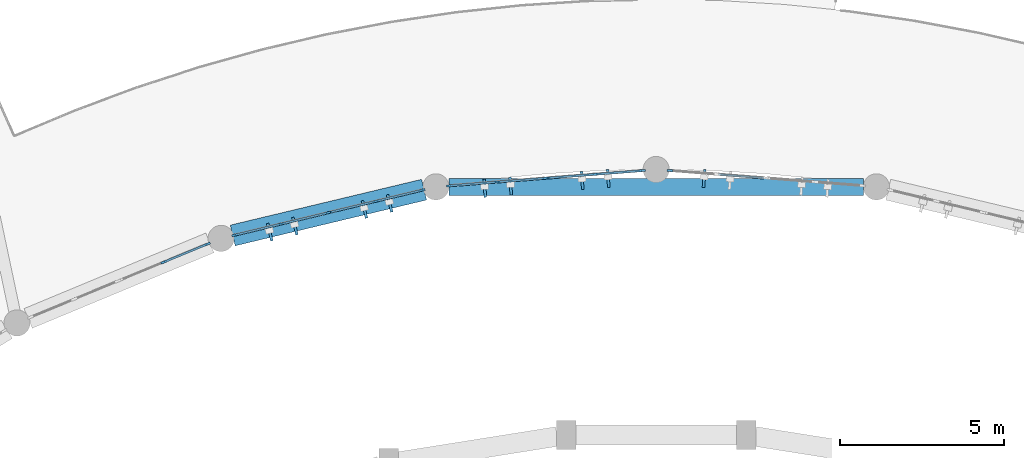
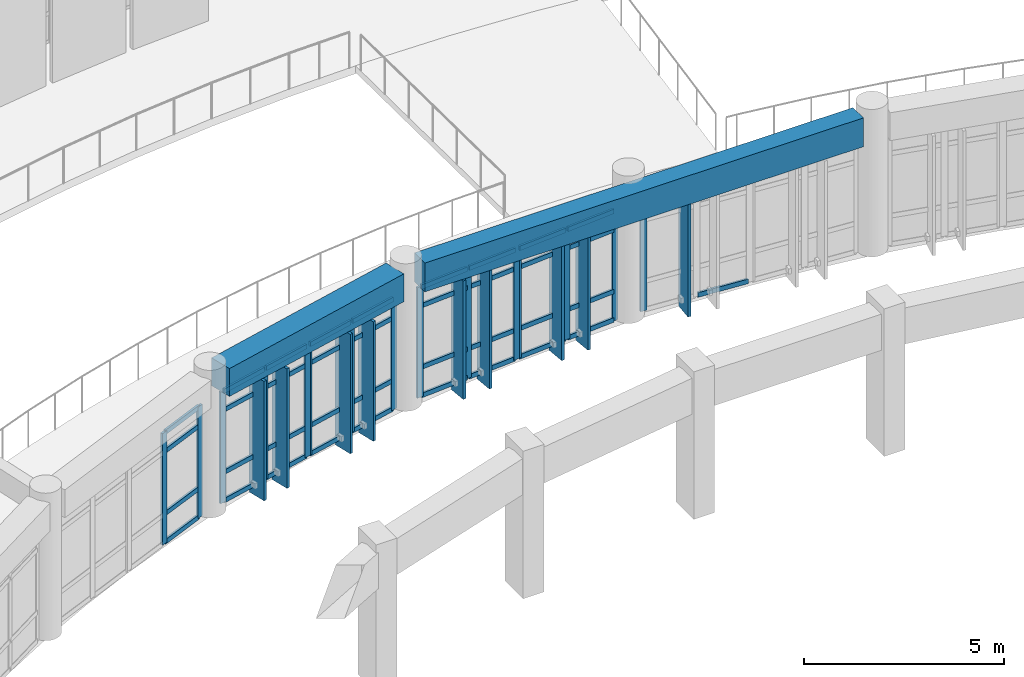
# One storey, part 14 of 57: 61 members, 2 beams, 6 elements without a shape of their own.
"""IFC4 building model written with IfcOpenShell, lengths in metres."""

from ifc_helpers import new_model, si_unit, direction, frame, origin, origin_2d, place, context, subcontext, project, spatial, rectangle, extrude, material, layer, layer_set, material_profile, profile_set, type_object, element, aggregate, save


model = new_model("IFC4")

# Units and contexts
model_context = context("Model", 3, precision=1e-05, world=origin(), true_north=direction((0.0, 1.0)))
body_context = subcontext(model_context, "Body", "Model", "MODEL_VIEW")
ifc_project = project(units=[si_unit("LENGTHUNIT", "METRE"), si_unit("AREAUNIT", "SQUARE_METRE"), si_unit("VOLUMEUNIT", "CUBIC_METRE"), si_unit("PLANEANGLEUNIT", "RADIAN"), si_unit("MASSUNIT", "GRAM", prefix="KILO")], contexts=[model_context])

# Site, building, storey
site_placement = place(None, origin())
site = spatial("IfcSite", under=ifc_project, at=site_placement, CompositionType="ELEMENT")
building_placement = place(site_placement, origin())
building = spatial("IfcBuilding", under=site, at=building_placement, Name="Miralva Faculty of Natural Sciences", CompositionType="ELEMENT")
storey_placement = place(building_placement, frame((0.0, 0.0, 15.0)))
storey = spatial("IfcBuildingStorey", under=building, at=storey_placement, Name="L03", CompositionType="ELEMENT", Elevation=15.0)

# Beams
ifc_material_1 = material(Name="Concrete C40/50", Category="concrete")
ifc_material_profile_1 = material_profile(ifc_material_1, rectangle(XDim=0.52001953125, YDim=0.8798828125, at=origin_2d()), Name="RC 520x880")
ifc_profile_set_1 = profile_set([ifc_material_profile_1], Name="Concrete C40/50")
beam_type_1 = type_object("IfcBeamType", Name="BM-BG19", PredefinedType="BEAM", material=ifc_profile_set_1)
beam_1_placement = place(storey_placement, frame((83.669921875, 21.469970703125, 3.820068359375), z_axis=(1.0, 0.0, 0.0), x_axis=(0.0, 1.0, 0.0)))
element("IfcBeam", 1, at=beam_1_placement, inside=storey, type_object=beam_type_1, Name="Girder EW L03-15", PredefinedType="BEAM", context=body_context, shape_type="SweptSolid", body=[
    extrude(rectangle(XDim=0.52001953125, YDim=0.8798828125, at=origin_2d()), origin(), (0.0, 0.0, 1.0), 12.66015625),
])
ifc_material_profile_2 = material_profile(ifc_material_1, rectangle(XDim=0.64990234375, YDim=0.85009765625, at=origin_2d()), Name="RC 650x850")
ifc_profile_set_2 = profile_set([ifc_material_profile_2], Name="Concrete C40/50")
beam_type_2 = type_object("IfcBeamType", Name="BM-SP03", PredefinedType="SPANDREL", material=ifc_profile_set_2)
beam_2_placement = place(storey_placement, frame((82.912109375, 21.38427734375, 3.8349609375), z_axis=(-0.97253572319, -0.232753661883, 0.0), x_axis=(0.232753661883, -0.97253572319, 0.0)))
element("IfcBeam", 2, at=beam_2_placement, inside=storey, type_object=beam_type_2, Name="Curved chord girder ARCIN L03-6", PredefinedType="SPANDREL", context=body_context, shape_type="SweptSolid", body=[
    extrude(rectangle(XDim=0.64990234375, YDim=0.85009765625, at=origin_2d()), origin(), (0.0, 0.0, 1.0), 6.00927734375),
])

# Curtain wall, members
ifc_material_2 = material(Name="Laminated solar-control glass", Category="glass")
ifc_layer = layer(ifc_material_2, 0.179931640625, Name="CW-ARC-L03")
ifc_layer_set = layer_set([ifc_layer], Name="Laminated solar-control glass")
curtain_wall_type = type_object("IfcCurtainWallType", Name="CW-ARC-L03", PredefinedType="USERDEFINED", material=ifc_layer_set)
curtain_wall_1_placement = place(storey_placement, origin())
curtain_wall_1 = element("IfcCurtainWall", 3, at=curtain_wall_1_placement, inside=storey, type_object=curtain_wall_type, Name="Curtain wall CW-03 L03-112", ObjectType="UNITISED CURTAIN WALL", PredefinedType="USERDEFINED")
ifc_material_3 = material(Name="Anodised aluminium", Category="aluminium")
ifc_material_profile_3 = material_profile(ifc_material_3, rectangle(XDim=0.06494140625, YDim=0.179931640625, at=origin_2d()), Name="MULLION 65x180")
ifc_profile_set_3 = profile_set([ifc_material_profile_3], Name="Anodised aluminium")
member_type_1 = type_object("IfcMemberType", Name="CW-M01", PredefinedType="MULLION", material=ifc_profile_set_3)
member_1_placement = place(storey_placement, frame((74.959716796875, 19.16943359375, 0.0), z_axis=(0.0, 0.0, 1.0), x_axis=(-0.382654754557, 0.923891410727, 0.0)))
member_1 = element("IfcMember", 4, at=member_1_placement, type_object=member_type_1, Name="CW-03 mullion 2", PredefinedType="MULLION", context=body_context, shape_type="SweptSolid", body=[
    extrude(rectangle(XDim=0.06494140625, YDim=0.179931640625, at=origin_2d()), origin(), (0.0, 0.0, 1.0), 3.405029296875),
])
member_2_placement = place(storey_placement, frame((76.298828125, 19.72412109375, 0.0), z_axis=(0.0, 0.0, 1.0), x_axis=(-0.382654754557, 0.923891410727, 0.0)))
member_2 = element("IfcMember", 5, at=member_2_placement, type_object=member_type_1, Name="CW-03 mullion 3", PredefinedType="MULLION", context=body_context, shape_type="SweptSolid", body=[
    extrude(rectangle(XDim=0.06494140625, YDim=0.179931640625, at=origin_2d()), origin(), (0.0, 0.0, 1.0), 3.405029296875),
])

curtain_wall_2_placement = place(storey_placement, origin())
curtain_wall_2 = element("IfcCurtainWall", 6, at=curtain_wall_2_placement, inside=storey, type_object=curtain_wall_type, Name="Curtain wall CW-03 L03-113", ObjectType="UNITISED CURTAIN WALL", PredefinedType="USERDEFINED")
member_3_placement = place(storey_placement, frame((77.1279296875, 19.9951171875, 0.0), z_axis=(0.0, 0.0, 1.0), x_axis=(-0.233456753574, 0.972367185898, 0.0)))
member_3 = element("IfcMember", 7, at=member_3_placement, type_object=member_type_1, Name="CW-03 mullion 1", PredefinedType="MULLION", context=body_context, shape_type="SweptSolid", body=[
    extrude(rectangle(XDim=0.06494140625, YDim=0.179931640625, at=origin_2d()), origin(), (0.0, 0.0, 1.0), 3.405029296875),
])
member_4_placement = place(storey_placement, frame((78.544677734375, 20.335205078125, 0.0), z_axis=(0.0, 0.0, 1.0), x_axis=(-0.233456753574, 0.972367185898, 0.0)))
member_4 = element("IfcMember", 8, at=member_4_placement, type_object=member_type_1, Name="CW-03 mullion 2", PredefinedType="MULLION", context=body_context, shape_type="SweptSolid", body=[
    extrude(rectangle(XDim=0.06494140625, YDim=0.179931640625, at=origin_2d()), origin(), (0.0, 0.0, 1.0), 3.405029296875),
])
member_5_placement = place(storey_placement, frame((79.961181640625, 20.67529296875, 0.0), z_axis=(0.0, 0.0, 1.0), x_axis=(-0.233456753574, 0.972367185898, 0.0)))
member_5 = element("IfcMember", 9, at=member_5_placement, type_object=member_type_1, Name="CW-03 mullion 3", PredefinedType="MULLION", context=body_context, shape_type="SweptSolid", body=[
    extrude(rectangle(XDim=0.06494140625, YDim=0.179931640625, at=origin_2d()), origin(), (0.0, 0.0, 1.0), 3.405029296875),
])

curtain_wall_3_placement = place(storey_placement, origin())
curtain_wall_3 = element("IfcCurtainWall", 10, at=curtain_wall_3_placement, inside=storey, type_object=curtain_wall_type, Name="Curtain wall CW-03 L03-114", ObjectType="UNITISED CURTAIN WALL", PredefinedType="USERDEFINED")
member_6_placement = place(storey_placement, frame((80.01953125, 20.689453125, 0.0), z_axis=(0.0, 0.0, 1.0), x_axis=(-0.233464217213, 0.972365393914, 0.0)))
member_6 = element("IfcMember", 11, at=member_6_placement, type_object=member_type_1, Name="CW-03 mullion 1", PredefinedType="MULLION", context=body_context, shape_type="SweptSolid", body=[
    extrude(rectangle(XDim=0.06494140625, YDim=0.179931640625, at=origin_2d()), origin(), (0.0, 0.0, 1.0), 3.405029296875),
])
member_7_placement = place(storey_placement, frame((81.4384765625, 21.030029296875, 0.0), z_axis=(0.0, 0.0, 1.0), x_axis=(-0.233464217213, 0.972365393914, 0.0)))
member_7 = element("IfcMember", 12, at=member_7_placement, type_object=member_type_1, Name="CW-03 mullion 2", PredefinedType="MULLION", context=body_context, shape_type="SweptSolid", body=[
    extrude(rectangle(XDim=0.06494140625, YDim=0.179931640625, at=origin_2d()), origin(), (0.0, 0.0, 1.0), 3.405029296875),
])
member_8_placement = place(storey_placement, frame((82.857666015625, 21.370849609375, 0.0), z_axis=(0.0, 0.0, 1.0), x_axis=(-0.233464217213, 0.972365393914, 0.0)))
member_8 = element("IfcMember", 13, at=member_8_placement, type_object=member_type_1, Name="CW-03 mullion 3", PredefinedType="MULLION", context=body_context, shape_type="SweptSolid", body=[
    extrude(rectangle(XDim=0.06494140625, YDim=0.179931640625, at=origin_2d()), origin(), (0.0, 0.0, 1.0), 3.405029296875),
])

curtain_wall_4_placement = place(storey_placement, origin())
curtain_wall_4 = element("IfcCurtainWall", 14, at=curtain_wall_4_placement, inside=storey, type_object=curtain_wall_type, Name="Curtain wall CW-03 L03-115", ObjectType="UNITISED CURTAIN WALL", PredefinedType="USERDEFINED")
member_9_placement = place(storey_placement, frame((83.689453125, 21.50341796875, 0.0), z_axis=(0.0, 0.0, 1.0), x_axis=(-0.07845922685, 0.996917323414, 0.0)))
member_9 = element("IfcMember", 15, at=member_9_placement, type_object=member_type_1, Name="CW-03 mullion 1", PredefinedType="MULLION", context=body_context, shape_type="SweptSolid", body=[
    extrude(rectangle(XDim=0.06494140625, YDim=0.179931640625, at=origin_2d()), origin(), (0.0, 0.0, 1.0), 3.375),
])
member_10_placement = place(storey_placement, frame((85.14697265625, 21.6181640625, 0.0), z_axis=(0.0, 0.0, 1.0), x_axis=(-0.07845922685, 0.996917323414, 0.0)))
member_10 = element("IfcMember", 16, at=member_10_placement, type_object=member_type_1, Name="CW-03 mullion 2", PredefinedType="MULLION", context=body_context, shape_type="SweptSolid", body=[
    extrude(rectangle(XDim=0.06494140625, YDim=0.179931640625, at=origin_2d()), origin(), (0.0, 0.0, 1.0), 3.375),
])
member_11_placement = place(storey_placement, frame((86.604248046875, 21.732666015625, 0.0), z_axis=(0.0, 0.0, 1.0), x_axis=(-0.07845922685, 0.996917323414, 0.0)))
member_11 = element("IfcMember", 17, at=member_11_placement, type_object=member_type_1, Name="CW-03 mullion 3", PredefinedType="MULLION", context=body_context, shape_type="SweptSolid", body=[
    extrude(rectangle(XDim=0.06494140625, YDim=0.179931640625, at=origin_2d()), origin(), (0.0, 0.0, 1.0), 3.375),
])

curtain_wall_5_placement = place(storey_placement, origin())
curtain_wall_5 = element("IfcCurtainWall", 18, at=curtain_wall_5_placement, inside=storey, type_object=curtain_wall_type, Name="Curtain wall CW-03 L03-116", ObjectType="UNITISED CURTAIN WALL", PredefinedType="USERDEFINED")
member_12_placement = place(storey_placement, frame((86.6640625, 21.737548828125, 0.0), z_axis=(0.0, 0.0, 1.0), x_axis=(-0.078463994344, 0.996916948192, 0.0)))
member_12 = element("IfcMember", 19, at=member_12_placement, type_object=member_type_1, Name="CW-03 mullion 1", PredefinedType="MULLION", context=body_context, shape_type="SweptSolid", body=[
    extrude(rectangle(XDim=0.06494140625, YDim=0.179931640625, at=origin_2d()), origin(), (0.0, 0.0, 1.0), 3.375),
])
member_13_placement = place(storey_placement, frame((88.1240234375, 21.852294921875, 0.0), z_axis=(0.0, 0.0, 1.0), x_axis=(-0.078463994344, 0.996916948192, 0.0)))
member_13 = element("IfcMember", 20, at=member_13_placement, type_object=member_type_1, Name="CW-03 mullion 2", PredefinedType="MULLION", context=body_context, shape_type="SweptSolid", body=[
    extrude(rectangle(XDim=0.06494140625, YDim=0.179931640625, at=origin_2d()), origin(), (0.0, 0.0, 1.0), 3.375),
])
member_14_placement = place(storey_placement, frame((89.583740234375, 21.96728515625, 0.0), z_axis=(0.0, 0.0, 1.0), x_axis=(-0.078463994344, 0.996916948192, 0.0)))
member_14 = element("IfcMember", 21, at=member_14_placement, type_object=member_type_1, Name="CW-03 mullion 3", PredefinedType="MULLION", context=body_context, shape_type="SweptSolid", body=[
    extrude(rectangle(XDim=0.06494140625, YDim=0.179931640625, at=origin_2d()), origin(), (0.0, 0.0, 1.0), 3.375),
])

# Curtain wall, member
curtain_wall_6_placement = place(storey_placement, origin())
curtain_wall_6 = element("IfcCurtainWall", 22, at=curtain_wall_6_placement, inside=storey, type_object=curtain_wall_type, Name="Curtain wall CW-03 L03-117", ObjectType="UNITISED CURTAIN WALL", PredefinedType="USERDEFINED")
member_15_placement = place(storey_placement, frame((90.416259765625, 21.96728515625, 0.0), z_axis=(0.0, 0.0, 1.0), x_axis=(0.078461843942, 0.99691711744, 0.0)))
member_15 = element("IfcMember", 23, at=member_15_placement, type_object=member_type_1, Name="CW-03 mullion 1", PredefinedType="MULLION", context=body_context, shape_type="SweptSolid", body=[
    extrude(rectangle(XDim=0.06494140625, YDim=0.179931640625, at=origin_2d()), origin(), (0.0, 0.0, 1.0), 3.375),
])

# Member
ifc_material_profile_4 = material_profile(ifc_material_3, rectangle(XDim=0.06494140625, YDim=0.139892578125, at=origin_2d()), Name="TRANSOM 65x140")
ifc_profile_set_4 = profile_set([ifc_material_profile_4], Name="Anodised aluminium")
member_type_2 = type_object("IfcMemberType", Name="CW-T01", PredefinedType="USERDEFINED", material=ifc_profile_set_4)
member_16_placement = place(storey_placement, frame((74.98974609375, 19.181884765625, 0.032470703125), z_axis=(0.923883575944, 0.382673670509, 0.0), x_axis=(-0.382673670509, 0.923883575944, 0.0)))
member_16 = element("IfcMember", 24, at=member_16_placement, type_object=member_type_2, Name="CW-03 transom 2.1", ObjectType="TRANSOM", PredefinedType="USERDEFINED", context=body_context, shape_type="SweptSolid", body=[
    extrude(rectangle(XDim=0.06494140625, YDim=0.139892578125, at=origin_2d()), origin(), (0.0, 0.0, 1.0), 1.384521484375),
])

member_17_placement = place(storey_placement, frame((74.98974609375, 19.181884765625, 0.89990234375), z_axis=(0.923883575944, 0.382673670509, 0.0), x_axis=(-0.382673670509, 0.923883575944, 0.0)))
member_17 = element("IfcMember", 25, at=member_17_placement, type_object=member_type_2, Name="CW-03 transom 2.2", ObjectType="TRANSOM", PredefinedType="USERDEFINED", context=body_context, shape_type="SweptSolid", body=[
    extrude(rectangle(XDim=0.06494140625, YDim=0.139892578125, at=origin_2d()), origin(), (0.0, 0.0, 1.0), 1.384521484375),
])

member_18_placement = place(storey_placement, frame((74.98974609375, 19.181884765625, 2.804931640625), z_axis=(0.923883575944, 0.382673670509, 0.0), x_axis=(-0.382673670509, 0.923883575944, 0.0)))
member_18 = element("IfcMember", 26, at=member_18_placement, type_object=member_type_2, Name="CW-03 transom 2.3", ObjectType="TRANSOM", PredefinedType="USERDEFINED", context=body_context, shape_type="SweptSolid", body=[
    extrude(rectangle(XDim=0.06494140625, YDim=0.139892578125, at=origin_2d()), origin(), (0.0, 0.0, 1.0), 1.384521484375),
])

member_19_placement = place(storey_placement, frame((74.98974609375, 19.181884765625, 3.37255859375), z_axis=(0.923883575944, 0.382673670509, 0.0), x_axis=(-0.382673670509, 0.923883575944, 0.0)))
member_19 = element("IfcMember", 27, at=member_19_placement, type_object=member_type_2, Name="CW-03 transom 2.4", ObjectType="TRANSOM", PredefinedType="USERDEFINED", context=body_context, shape_type="SweptSolid", body=[
    extrude(rectangle(XDim=0.06494140625, YDim=0.139892578125, at=origin_2d()), origin(), (0.0, 0.0, 1.0), 1.384521484375),
])

aggregate(curtain_wall_1, [member_1, member_2, member_16, member_17, member_18, member_19])

member_20_placement = place(storey_placement, frame((77.15966796875, 20.002685546875, 0.032470703125), z_axis=(0.97236022589, 0.233485740693, 0.0), x_axis=(-0.233485740693, 0.97236022589, 0.0)))
member_20 = element("IfcMember", 28, at=member_20_placement, type_object=member_type_2, Name="CW-03 transom 1.1", ObjectType="TRANSOM", PredefinedType="USERDEFINED", context=body_context, shape_type="SweptSolid", body=[
    extrude(rectangle(XDim=0.06494140625, YDim=0.139892578125, at=origin_2d()), origin(), (0.0, 0.0, 1.0), 1.391845703125),
])

member_21_placement = place(storey_placement, frame((77.15966796875, 20.002685546875, 0.89990234375), z_axis=(0.97236022589, 0.233485740693, 0.0), x_axis=(-0.233485740693, 0.97236022589, 0.0)))
member_21 = element("IfcMember", 29, at=member_21_placement, type_object=member_type_2, Name="CW-03 transom 1.2", ObjectType="TRANSOM", PredefinedType="USERDEFINED", context=body_context, shape_type="SweptSolid", body=[
    extrude(rectangle(XDim=0.06494140625, YDim=0.139892578125, at=origin_2d()), origin(), (0.0, 0.0, 1.0), 1.391845703125),
])

member_22_placement = place(storey_placement, frame((77.15966796875, 20.002685546875, 2.804931640625), z_axis=(0.97236022589, 0.233485740693, 0.0), x_axis=(-0.233485740693, 0.97236022589, 0.0)))
member_22 = element("IfcMember", 30, at=member_22_placement, type_object=member_type_2, Name="CW-03 transom 1.3", ObjectType="TRANSOM", PredefinedType="USERDEFINED", context=body_context, shape_type="SweptSolid", body=[
    extrude(rectangle(XDim=0.06494140625, YDim=0.139892578125, at=origin_2d()), origin(), (0.0, 0.0, 1.0), 1.391845703125),
])

member_23_placement = place(storey_placement, frame((77.15966796875, 20.002685546875, 3.37255859375), z_axis=(0.97236022589, 0.233485740693, 0.0), x_axis=(-0.233485740693, 0.97236022589, 0.0)))
member_23 = element("IfcMember", 31, at=member_23_placement, type_object=member_type_2, Name="CW-03 transom 1.4", ObjectType="TRANSOM", PredefinedType="USERDEFINED", context=body_context, shape_type="SweptSolid", body=[
    extrude(rectangle(XDim=0.06494140625, YDim=0.139892578125, at=origin_2d()), origin(), (0.0, 0.0, 1.0), 1.391845703125),
])

member_24_placement = place(storey_placement, frame((78.576171875, 20.3427734375, 0.032470703125), z_axis=(0.972369786639, 0.233445920999, 0.0), x_axis=(-0.233445920999, 0.972369786639, 0.0)))
member_24 = element("IfcMember", 32, at=member_24_placement, type_object=member_type_2, Name="CW-03 transom 2.1", ObjectType="TRANSOM", PredefinedType="USERDEFINED", context=body_context, shape_type="SweptSolid", body=[
    extrude(rectangle(XDim=0.06494140625, YDim=0.139892578125, at=origin_2d()), origin(), (0.0, 0.0, 1.0), 1.39208984375),
])

member_25_placement = place(storey_placement, frame((78.576171875, 20.3427734375, 0.89990234375), z_axis=(0.972369786639, 0.233445920999, 0.0), x_axis=(-0.233445920999, 0.972369786639, 0.0)))
member_25 = element("IfcMember", 33, at=member_25_placement, type_object=member_type_2, Name="CW-03 transom 2.2", ObjectType="TRANSOM", PredefinedType="USERDEFINED", context=body_context, shape_type="SweptSolid", body=[
    extrude(rectangle(XDim=0.06494140625, YDim=0.139892578125, at=origin_2d()), origin(), (0.0, 0.0, 1.0), 1.39208984375),
])

member_26_placement = place(storey_placement, frame((78.576171875, 20.3427734375, 2.804931640625), z_axis=(0.972369786639, 0.233445920999, 0.0), x_axis=(-0.233445920999, 0.972369786639, 0.0)))
member_26 = element("IfcMember", 34, at=member_26_placement, type_object=member_type_2, Name="CW-03 transom 2.3", ObjectType="TRANSOM", PredefinedType="USERDEFINED", context=body_context, shape_type="SweptSolid", body=[
    extrude(rectangle(XDim=0.06494140625, YDim=0.139892578125, at=origin_2d()), origin(), (0.0, 0.0, 1.0), 1.39208984375),
])

member_27_placement = place(storey_placement, frame((78.576171875, 20.3427734375, 3.37255859375), z_axis=(0.972369786639, 0.233445920999, 0.0), x_axis=(-0.233445920999, 0.972369786639, 0.0)))
member_27 = element("IfcMember", 35, at=member_27_placement, type_object=member_type_2, Name="CW-03 transom 2.4", ObjectType="TRANSOM", PredefinedType="USERDEFINED", context=body_context, shape_type="SweptSolid", body=[
    extrude(rectangle(XDim=0.06494140625, YDim=0.139892578125, at=origin_2d()), origin(), (0.0, 0.0, 1.0), 1.39208984375),
])

aggregate(curtain_wall_2, [member_3, member_4, member_5, member_20, member_21, member_22, member_23, member_24, member_25, member_26, member_27])

member_28_placement = place(storey_placement, frame((80.051025390625, 20.697021484375, 0.032470703125), z_axis=(0.972385712744, 0.233379574196, 0.0), x_axis=(-0.233379574196, 0.972385712744, 0.0)))
member_28 = element("IfcMember", 36, at=member_28_placement, type_object=member_type_2, Name="CW-03 transom 1.1", ObjectType="TRANSOM", PredefinedType="USERDEFINED", context=body_context, shape_type="SweptSolid", body=[
    extrude(rectangle(XDim=0.06494140625, YDim=0.139892578125, at=origin_2d()), origin(), (0.0, 0.0, 1.0), 1.39453125),
])

member_29_placement = place(storey_placement, frame((80.051025390625, 20.697021484375, 0.89990234375), z_axis=(0.972385712744, 0.233379574196, 0.0), x_axis=(-0.233379574196, 0.972385712744, 0.0)))
member_29 = element("IfcMember", 37, at=member_29_placement, type_object=member_type_2, Name="CW-03 transom 1.2", ObjectType="TRANSOM", PredefinedType="USERDEFINED", context=body_context, shape_type="SweptSolid", body=[
    extrude(rectangle(XDim=0.06494140625, YDim=0.139892578125, at=origin_2d()), origin(), (0.0, 0.0, 1.0), 1.39453125),
])

member_30_placement = place(storey_placement, frame((80.051025390625, 20.697021484375, 2.804931640625), z_axis=(0.972385712744, 0.233379574196, 0.0), x_axis=(-0.233379574196, 0.972385712744, 0.0)))
member_30 = element("IfcMember", 38, at=member_30_placement, type_object=member_type_2, Name="CW-03 transom 1.3", ObjectType="TRANSOM", PredefinedType="USERDEFINED", context=body_context, shape_type="SweptSolid", body=[
    extrude(rectangle(XDim=0.06494140625, YDim=0.139892578125, at=origin_2d()), origin(), (0.0, 0.0, 1.0), 1.39453125),
])

member_31_placement = place(storey_placement, frame((80.051025390625, 20.697021484375, 3.37255859375), z_axis=(0.972385712744, 0.233379574196, 0.0), x_axis=(-0.233379574196, 0.972385712744, 0.0)))
member_31 = element("IfcMember", 39, at=member_31_placement, type_object=member_type_2, Name="CW-03 transom 1.4", ObjectType="TRANSOM", PredefinedType="USERDEFINED", context=body_context, shape_type="SweptSolid", body=[
    extrude(rectangle(XDim=0.06494140625, YDim=0.139892578125, at=origin_2d()), origin(), (0.0, 0.0, 1.0), 1.39453125),
])

member_32_placement = place(storey_placement, frame((81.47021484375, 21.03759765625, 0.032470703125), z_axis=(0.972336417448, 0.233584869598, 0.0), x_axis=(-0.233584869598, 0.972336417448, 0.0)))
member_32 = element("IfcMember", 40, at=member_32_placement, type_object=member_type_2, Name="CW-03 transom 2.1", ObjectType="TRANSOM", PredefinedType="USERDEFINED", context=body_context, shape_type="SweptSolid", body=[
    extrude(rectangle(XDim=0.06494140625, YDim=0.139892578125, at=origin_2d()), origin(), (0.0, 0.0, 1.0), 1.394287109375),
])

member_33_placement = place(storey_placement, frame((81.47021484375, 21.03759765625, 0.89990234375), z_axis=(0.972336417448, 0.233584869598, 0.0), x_axis=(-0.233584869598, 0.972336417448, 0.0)))
member_33 = element("IfcMember", 41, at=member_33_placement, type_object=member_type_2, Name="CW-03 transom 2.2", ObjectType="TRANSOM", PredefinedType="USERDEFINED", context=body_context, shape_type="SweptSolid", body=[
    extrude(rectangle(XDim=0.06494140625, YDim=0.139892578125, at=origin_2d()), origin(), (0.0, 0.0, 1.0), 1.394287109375),
])

member_34_placement = place(storey_placement, frame((81.47021484375, 21.03759765625, 2.804931640625), z_axis=(0.972336417448, 0.233584869598, 0.0), x_axis=(-0.233584869598, 0.972336417448, 0.0)))
member_34 = element("IfcMember", 42, at=member_34_placement, type_object=member_type_2, Name="CW-03 transom 2.3", ObjectType="TRANSOM", PredefinedType="USERDEFINED", context=body_context, shape_type="SweptSolid", body=[
    extrude(rectangle(XDim=0.06494140625, YDim=0.139892578125, at=origin_2d()), origin(), (0.0, 0.0, 1.0), 1.394287109375),
])

member_35_placement = place(storey_placement, frame((81.47021484375, 21.03759765625, 3.37255859375), z_axis=(0.972336417448, 0.233584869598, 0.0), x_axis=(-0.233584869598, 0.972336417448, 0.0)))
member_35 = element("IfcMember", 43, at=member_35_placement, type_object=member_type_2, Name="CW-03 transom 2.4", ObjectType="TRANSOM", PredefinedType="USERDEFINED", context=body_context, shape_type="SweptSolid", body=[
    extrude(rectangle(XDim=0.06494140625, YDim=0.139892578125, at=origin_2d()), origin(), (0.0, 0.0, 1.0), 1.394287109375),
])

aggregate(curtain_wall_3, [member_6, member_7, member_8, member_28, member_29, member_30, member_31, member_32, member_33, member_34, member_35])

member_36_placement = place(storey_placement, frame((83.721923828125, 21.505859375, 0.032470703125), z_axis=(0.996916165291, 0.078473940781, 0.0), x_axis=(-0.078473940781, 0.996916165291, 0.0)))
member_36 = element("IfcMember", 44, at=member_36_placement, type_object=member_type_2, Name="CW-03 transom 1.1", ObjectType="TRANSOM", PredefinedType="USERDEFINED", context=body_context, shape_type="SweptSolid", body=[
    extrude(rectangle(XDim=0.06494140625, YDim=0.139892578125, at=origin_2d()), origin(), (0.0, 0.0, 1.0), 1.39697265625),
])

member_37_placement = place(storey_placement, frame((83.721923828125, 21.505859375, 0.89990234375), z_axis=(0.996916165291, 0.078473940781, 0.0), x_axis=(-0.078473940781, 0.996916165291, 0.0)))
member_37 = element("IfcMember", 45, at=member_37_placement, type_object=member_type_2, Name="CW-03 transom 1.2", ObjectType="TRANSOM", PredefinedType="USERDEFINED", context=body_context, shape_type="SweptSolid", body=[
    extrude(rectangle(XDim=0.06494140625, YDim=0.139892578125, at=origin_2d()), origin(), (0.0, 0.0, 1.0), 1.39697265625),
])

member_38_placement = place(storey_placement, frame((83.721923828125, 21.505859375, 2.77490234375), z_axis=(0.996916165291, 0.078473940781, 0.0), x_axis=(-0.078473940781, 0.996916165291, 0.0)))
member_38 = element("IfcMember", 46, at=member_38_placement, type_object=member_type_2, Name="CW-03 transom 1.3", ObjectType="TRANSOM", PredefinedType="USERDEFINED", context=body_context, shape_type="SweptSolid", body=[
    extrude(rectangle(XDim=0.06494140625, YDim=0.139892578125, at=origin_2d()), origin(), (0.0, 0.0, 1.0), 1.39697265625),
])

member_39_placement = place(storey_placement, frame((83.721923828125, 21.505859375, 3.342529296875), z_axis=(0.996916165291, 0.078473940781, 0.0), x_axis=(-0.078473940781, 0.996916165291, 0.0)))
member_39 = element("IfcMember", 47, at=member_39_placement, type_object=member_type_2, Name="CW-03 transom 1.4", ObjectType="TRANSOM", PredefinedType="USERDEFINED", context=body_context, shape_type="SweptSolid", body=[
    extrude(rectangle(XDim=0.06494140625, YDim=0.139892578125, at=origin_2d()), origin(), (0.0, 0.0, 1.0), 1.39697265625),
])

member_40_placement = place(storey_placement, frame((85.17919921875, 21.62060546875, 0.032470703125), z_axis=(0.996917241301, 0.078460270174, 0.0), x_axis=(-0.078460270174, 0.996917241301, 0.0)))
member_40 = element("IfcMember", 48, at=member_40_placement, type_object=member_type_2, Name="CW-03 transom 2.1", ObjectType="TRANSOM", PredefinedType="USERDEFINED", context=body_context, shape_type="SweptSolid", body=[
    extrude(rectangle(XDim=0.06494140625, YDim=0.139892578125, at=origin_2d()), origin(), (0.0, 0.0, 1.0), 1.397216796875),
])

member_41_placement = place(storey_placement, frame((85.17919921875, 21.62060546875, 0.89990234375), z_axis=(0.996917241301, 0.078460270174, 0.0), x_axis=(-0.078460270174, 0.996917241301, 0.0)))
member_41 = element("IfcMember", 49, at=member_41_placement, type_object=member_type_2, Name="CW-03 transom 2.2", ObjectType="TRANSOM", PredefinedType="USERDEFINED", context=body_context, shape_type="SweptSolid", body=[
    extrude(rectangle(XDim=0.06494140625, YDim=0.139892578125, at=origin_2d()), origin(), (0.0, 0.0, 1.0), 1.397216796875),
])

member_42_placement = place(storey_placement, frame((85.17919921875, 21.62060546875, 2.77490234375), z_axis=(0.996917241301, 0.078460270174, 0.0), x_axis=(-0.078460270174, 0.996917241301, 0.0)))
member_42 = element("IfcMember", 50, at=member_42_placement, type_object=member_type_2, Name="CW-03 transom 2.3", ObjectType="TRANSOM", PredefinedType="USERDEFINED", context=body_context, shape_type="SweptSolid", body=[
    extrude(rectangle(XDim=0.06494140625, YDim=0.139892578125, at=origin_2d()), origin(), (0.0, 0.0, 1.0), 1.397216796875),
])

member_43_placement = place(storey_placement, frame((85.17919921875, 21.62060546875, 3.342529296875), z_axis=(0.996917241301, 0.078460270174, 0.0), x_axis=(-0.078460270174, 0.996917241301, 0.0)))
member_43 = element("IfcMember", 51, at=member_43_placement, type_object=member_type_2, Name="CW-03 transom 2.4", ObjectType="TRANSOM", PredefinedType="USERDEFINED", context=body_context, shape_type="SweptSolid", body=[
    extrude(rectangle(XDim=0.06494140625, YDim=0.139892578125, at=origin_2d()), origin(), (0.0, 0.0, 1.0), 1.397216796875),
])

aggregate(curtain_wall_4, [member_9, member_10, member_11, member_36, member_37, member_38, member_39, member_40, member_41, member_42, member_43])

member_44_placement = place(storey_placement, frame((86.696533203125, 21.739990234375, 0.032470703125), z_axis=(0.996913259646, 0.078510844739, 0.0), x_axis=(-0.078510844739, 0.996913259646, 0.0)))
member_44 = element("IfcMember", 52, at=member_44_placement, type_object=member_type_2, Name="CW-03 transom 1.1", ObjectType="TRANSOM", PredefinedType="USERDEFINED", context=body_context, shape_type="SweptSolid", body=[
    extrude(rectangle(XDim=0.06494140625, YDim=0.139892578125, at=origin_2d()), origin(), (0.0, 0.0, 1.0), 1.3994140625),
])

member_45_placement = place(storey_placement, frame((86.696533203125, 21.739990234375, 0.89990234375), z_axis=(0.996913259646, 0.078510844739, 0.0), x_axis=(-0.078510844739, 0.996913259646, 0.0)))
member_45 = element("IfcMember", 53, at=member_45_placement, type_object=member_type_2, Name="CW-03 transom 1.2", ObjectType="TRANSOM", PredefinedType="USERDEFINED", context=body_context, shape_type="SweptSolid", body=[
    extrude(rectangle(XDim=0.06494140625, YDim=0.139892578125, at=origin_2d()), origin(), (0.0, 0.0, 1.0), 1.3994140625),
])

member_46_placement = place(storey_placement, frame((86.696533203125, 21.739990234375, 2.77490234375), z_axis=(0.996913259646, 0.078510844739, 0.0), x_axis=(-0.078510844739, 0.996913259646, 0.0)))
member_46 = element("IfcMember", 54, at=member_46_placement, type_object=member_type_2, Name="CW-03 transom 1.3", ObjectType="TRANSOM", PredefinedType="USERDEFINED", context=body_context, shape_type="SweptSolid", body=[
    extrude(rectangle(XDim=0.06494140625, YDim=0.139892578125, at=origin_2d()), origin(), (0.0, 0.0, 1.0), 1.3994140625),
])

member_47_placement = place(storey_placement, frame((86.696533203125, 21.739990234375, 3.342529296875), z_axis=(0.996913259646, 0.078510844739, 0.0), x_axis=(-0.078510844739, 0.996913259646, 0.0)))
member_47 = element("IfcMember", 55, at=member_47_placement, type_object=member_type_2, Name="CW-03 transom 1.4", ObjectType="TRANSOM", PredefinedType="USERDEFINED", context=body_context, shape_type="SweptSolid", body=[
    extrude(rectangle(XDim=0.06494140625, YDim=0.139892578125, at=origin_2d()), origin(), (0.0, 0.0, 1.0), 1.3994140625),
])

member_48_placement = place(storey_placement, frame((88.15625, 21.85498046875, 0.032470703125), z_axis=(0.996927970551, 0.078323824808, 0.0), x_axis=(-0.078323824808, 0.996927970551, 0.0)))
member_48 = element("IfcMember", 56, at=member_48_placement, type_object=member_type_2, Name="CW-03 transom 2.1", ObjectType="TRANSOM", PredefinedType="USERDEFINED", context=body_context, shape_type="SweptSolid", body=[
    extrude(rectangle(XDim=0.06494140625, YDim=0.139892578125, at=origin_2d()), origin(), (0.0, 0.0, 1.0), 1.399658203125),
])

member_49_placement = place(storey_placement, frame((88.15625, 21.85498046875, 0.89990234375), z_axis=(0.996927970551, 0.078323824808, 0.0), x_axis=(-0.078323824808, 0.996927970551, 0.0)))
member_49 = element("IfcMember", 57, at=member_49_placement, type_object=member_type_2, Name="CW-03 transom 2.2", ObjectType="TRANSOM", PredefinedType="USERDEFINED", context=body_context, shape_type="SweptSolid", body=[
    extrude(rectangle(XDim=0.06494140625, YDim=0.139892578125, at=origin_2d()), origin(), (0.0, 0.0, 1.0), 1.399658203125),
])

member_50_placement = place(storey_placement, frame((88.15625, 21.85498046875, 2.77490234375), z_axis=(0.996927970551, 0.078323824808, 0.0), x_axis=(-0.078323824808, 0.996927970551, 0.0)))
member_50 = element("IfcMember", 58, at=member_50_placement, type_object=member_type_2, Name="CW-03 transom 2.3", ObjectType="TRANSOM", PredefinedType="USERDEFINED", context=body_context, shape_type="SweptSolid", body=[
    extrude(rectangle(XDim=0.06494140625, YDim=0.139892578125, at=origin_2d()), origin(), (0.0, 0.0, 1.0), 1.399658203125),
])

member_51_placement = place(storey_placement, frame((88.15625, 21.85498046875, 3.342529296875), z_axis=(0.996927970551, 0.078323824808, 0.0), x_axis=(-0.078323824808, 0.996927970551, 0.0)))
member_51 = element("IfcMember", 59, at=member_51_placement, type_object=member_type_2, Name="CW-03 transom 2.4", ObjectType="TRANSOM", PredefinedType="USERDEFINED", context=body_context, shape_type="SweptSolid", body=[
    extrude(rectangle(XDim=0.06494140625, YDim=0.139892578125, at=origin_2d()), origin(), (0.0, 0.0, 1.0), 1.399658203125),
])

aggregate(curtain_wall_5, [member_12, member_13, member_14, member_44, member_45, member_46, member_47, member_48, member_49, member_50, member_51])

member_52_placement = place(storey_placement, frame((91.906005859375, 21.85009765625, 0.032470703125), z_axis=(0.996916165291, -0.078473940781, 0.0), x_axis=(0.078473940781, 0.996916165291, 0.0)))
member_52 = element("IfcMember", 60, at=member_52_placement, type_object=member_type_2, Name="CW-03 transom 2.1", ObjectType="TRANSOM", PredefinedType="USERDEFINED", context=body_context, shape_type="SweptSolid", body=[
    extrude(rectangle(XDim=0.06494140625, YDim=0.139892578125, at=origin_2d()), origin(), (0.0, 0.0, 1.0), 1.39697265625),
])

aggregate(curtain_wall_6, [member_15, member_52])

# Members
ifc_material_profile_5 = material_profile(ifc_material_3, rectangle(XDim=0.080078125, YDim=0.550048828125, at=origin_2d()), Name="FIN 550x80")
ifc_profile_set_5 = profile_set([ifc_material_profile_5], Name="Anodised aluminium")
member_type_3 = type_object("IfcMemberType", Name="MEM-SF01", PredefinedType="USERDEFINED", material=ifc_profile_set_5)
for number, where, z_axis, x_axis, name in (
    (61, (78.1982421875, 20.087646484375, -0.239990234375), (0.0, 0.0, 1.0), (0.972369920398, 0.233445363856, 0.0), "Solar shading fin SF-01 L03-69"),
    (62, (78.9658203125, 20.27197265625, -0.239990234375), (0.0, 0.0, 1.0), (0.972369920398, 0.233445363856, 0.0), "Solar shading fin SF-01 L03-70"),
    (63, (81.0908203125, 20.781982421875, -0.239990234375), (0.0, 0.0, 1.0), (0.972369920398, 0.233445363856, 0.0), "Solar shading fin SF-01 L03-71"),
    (64, (81.86083984375, 20.967041015625, -0.239990234375), (0.0, 0.0, 1.0), (0.972369920398, 0.233445363856, 0.0), "Solar shading fin SF-01 L03-72"),
):
    element("IfcMember", number, at=place(storey_placement, frame(where, z_axis=z_axis, x_axis=x_axis)), inside=storey, type_object=member_type_3, Name=name, ObjectType="SUNSHADE", PredefinedType="USERDEFINED", context=body_context, shape_type="SweptSolid", body=[
        extrude(rectangle(XDim=0.080078125, YDim=0.550048828125, at=origin_2d()), origin(), (0.0, 0.0, 1.0), 3.64501953125),
    ])
for number, where, z_axis, x_axis, name in (
    (65, (84.763427734375, 21.427490234375, -0.239990234375), (0.0, 0.0, 1.0), (0.996917333733, 0.078459095728, 0.0), "Solar shading fin SF-01 L03-73"),
    (66, (85.555419921875, 21.48974609375, -0.239990234375), (0.0, 0.0, 1.0), (0.996917333733, 0.078459095728, 0.0), "Solar shading fin SF-01 L03-74"),
    (67, (87.7392578125, 21.66162109375, -0.239990234375), (0.0, 0.0, 1.0), (0.996917333733, 0.078459095728, 0.0), "Solar shading fin SF-01 L03-75"),
    (68, (88.53369140625, 21.72412109375, -0.239990234375), (0.0, 0.0, 1.0), (0.996917333733, 0.078459095728, 0.0), "Solar shading fin SF-01 L03-76"),
    (69, (91.465087890625, 21.72412109375, -0.239990234375), (0.0, 0.0, 1.0), (0.996917333733, -0.078459095728, 0.0), "Solar shading fin SF-01 L03-77"),
):
    element("IfcMember", number, at=place(storey_placement, frame(where, z_axis=z_axis, x_axis=x_axis)), inside=storey, type_object=member_type_3, Name=name, ObjectType="SUNSHADE", PredefinedType="USERDEFINED", context=body_context, shape_type="SweptSolid", body=[
        extrude(rectangle(XDim=0.080078125, YDim=0.550048828125, at=origin_2d()), origin(), (0.0, 0.0, 1.0), 3.614990234375),
    ])

save(model, "model.ifc")
